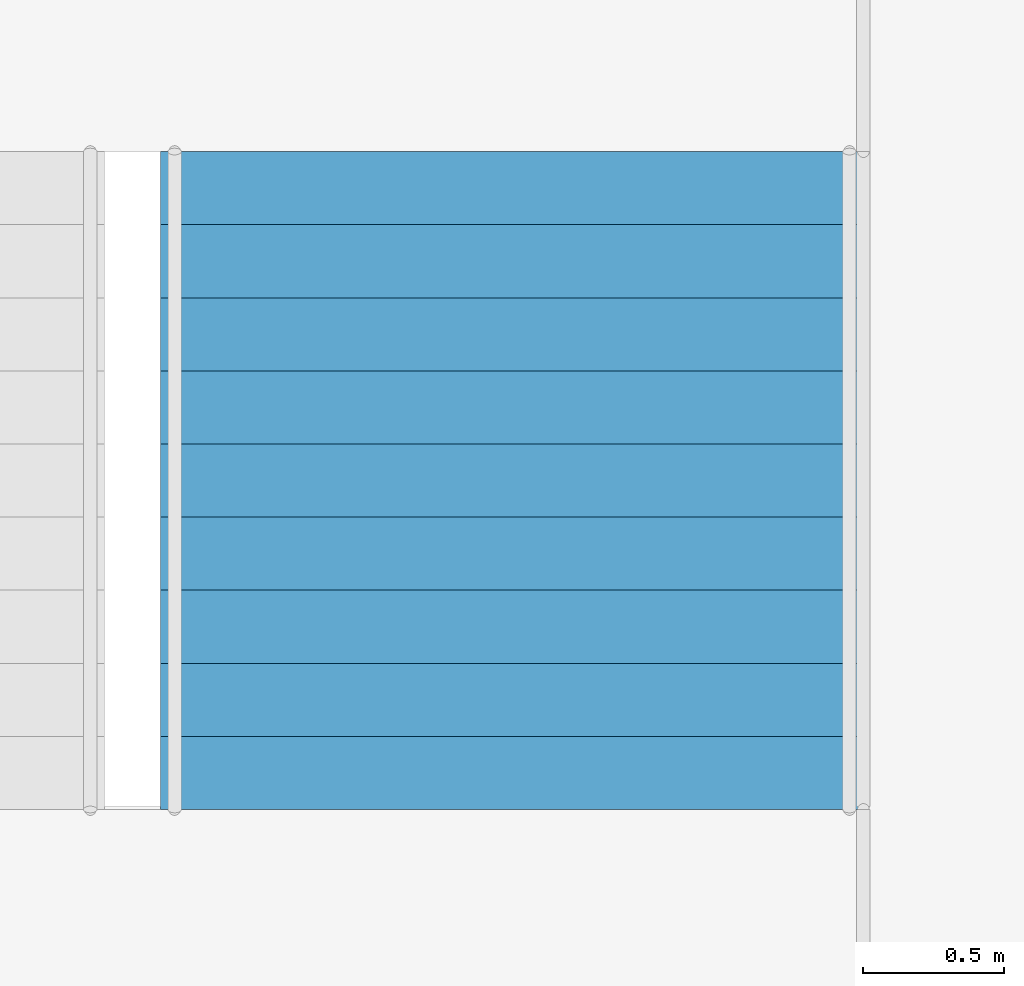
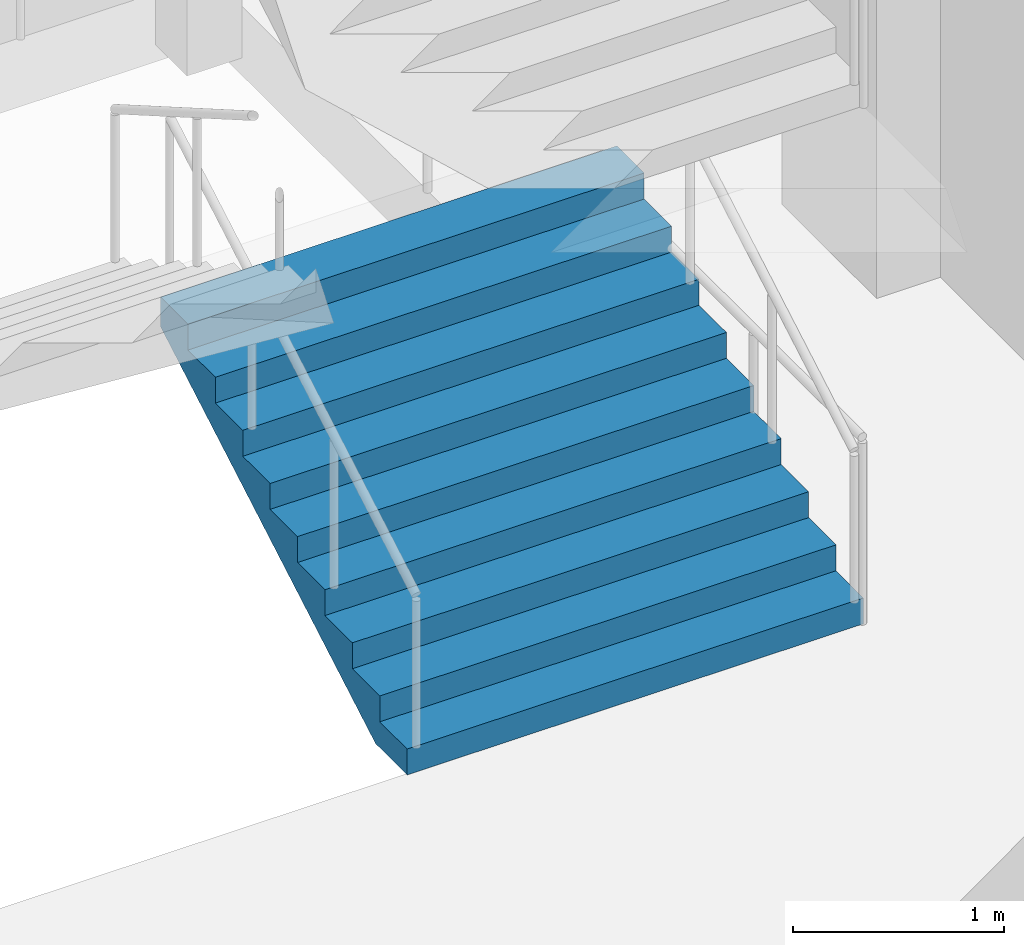
# One storey, part 44 of 100: 1 stair flight, 1 element without a shape of its own.
"""IFC4 building model written with IfcOpenShell, lengths in metres."""

from ifc_helpers import new_model, si_unit, direction, frame, origin, place, context, subcontext, project, spatial, triangles, material, type_object, element, aggregate, save


model = new_model("IFC4")

# Units and contexts
model_context = context("Model", 3, precision=1e-05, world=origin(), true_north=direction((0.0, 1.0)))
body_context = subcontext(model_context, "Body", "Model", "MODEL_VIEW")
ifc_project = project(units=[si_unit("LENGTHUNIT", "METRE"), si_unit("AREAUNIT", "SQUARE_METRE"), si_unit("VOLUMEUNIT", "CUBIC_METRE"), si_unit("PLANEANGLEUNIT", "RADIAN"), si_unit("MASSUNIT", "GRAM", prefix="KILO")], contexts=[model_context])

# Site, building, storey
site_placement = place(None, origin())
site = spatial("IfcSite", under=ifc_project, at=site_placement, CompositionType="ELEMENT")
building_placement = place(site_placement, origin())
building = spatial("IfcBuilding", under=site, at=building_placement, Name="Hakoniwa Tower and Hamabe Station Hall", CompositionType="ELEMENT")
storey_placement = place(building_placement, frame((0.0, 0.0, 9.0)))
storey = spatial("IfcBuildingStorey", under=building, at=storey_placement, Name="L02", CompositionType="ELEMENT", Elevation=9.0)

# Stair, stair flight
ifc_material_1 = material(Name="Concrete C40", Category="concrete")
stair_type = type_object("IfcStairType", Name="STAIR 2500 10X150", PredefinedType="HALF_TURN_STAIR", material=ifc_material_1)
stair_placement = place(storey_placement, origin())
stair = element("IfcStair", 1, at=stair_placement, inside=storey, type_object=stair_type, Name="Escape stair PS4", PredefinedType="HALF_TURN_STAIR")
ifc_material_2 = material(Name="Concrete C40", Category="concrete")
stair_flight_type = type_object("IfcStairFlightType", Name="STAIR FLIGHT 2500", PredefinedType="STRAIGHT", material=ifc_material_2)
stair_flight_placement = place(storey_placement, frame((-45.10009765625, -22.35009765625, 0.0), z_axis=(0.0, 0.0, 1.0), x_axis=(0.0, 1.0, 0.0)))
stair_flight = element("IfcStairFlight", 2, at=stair_flight_placement, type_object=stair_flight_type, Name="PS4 flight 1", NumberOfRisers=10, NumberOfTreads=9, PredefinedType="STRAIGHT", RiserHeight=0.15, TreadLength=0.26, context=body_context, shape_type="Tessellation", body=[
    triangles([(0.0, 1.25, 0.0), (0.260009765625, 1.25, 0.0), (0.300048828125, 1.25, 0.0), (0.52001953125, 1.25, 0.126953125), (0.780029296875, 1.25, 0.27685546875), (1.0400390625, 1.25, 0.427001953125), (1.300048828125, 1.25, 0.576904296875), (1.56005859375, 1.25, 0.72705078125), (1.820068359375, 1.25, 0.876953125), (2.080078125, 1.25, 1.02685546875), (2.340087890625, 1.25, 1.177001953125), (2.340087890625, 1.25, 1.35009765625), (2.080078125, 1.25, 1.35009765625), (2.080078125, 1.25, 1.199951171875), (1.820068359375, 1.25, 1.199951171875), (1.820068359375, 1.25, 1.050048828125), (1.56005859375, 1.25, 1.050048828125), (1.56005859375, 1.25, 0.89990234375), (1.300048828125, 1.25, 0.89990234375), (1.300048828125, 1.25, 0.75), (1.0400390625, 1.25, 0.75), (1.0400390625, 1.25, 0.60009765625), (0.780029296875, 1.25, 0.60009765625), (0.780029296875, 1.25, 0.449951171875), (0.52001953125, 1.25, 0.449951171875), (0.52001953125, 1.25, 0.300048828125), (0.300048828125, 1.25, 0.300048828125), (0.260009765625, 1.25, 0.300048828125), (0.260009765625, 1.25, 0.14990234375), (0.0, 1.25, 0.14990234375), (0.0, 0.06005859375, 0.0), (0.260009765625, 0.06005859375, 0.0), (0.300048828125, 0.06005859375, 0.0), (0.52001953125, 0.06005859375, 0.126953125), (0.780029296875, 0.06005859375, 0.27685546875), (1.0400390625, 0.06005859375, 0.427001953125), (1.300048828125, 0.06005859375, 0.576904296875), (1.56005859375, 0.06005859375, 0.72705078125), (1.820068359375, 0.06005859375, 0.876953125), (2.080078125, 0.06005859375, 1.02685546875), (2.340087890625, 0.06005859375, 1.177001953125), (2.340087890625, 0.06005859375, 1.35009765625), (2.080078125, 0.06005859375, 1.35009765625), (2.080078125, 0.06005859375, 1.199951171875), (1.820068359375, 0.06005859375, 1.199951171875), (1.820068359375, 0.06005859375, 1.050048828125), (1.56005859375, 0.06005859375, 1.050048828125), (1.56005859375, 0.06005859375, 0.89990234375), (1.300048828125, 0.06005859375, 0.89990234375), (1.300048828125, 0.06005859375, 0.75), (1.0400390625, 0.06005859375, 0.75), (1.0400390625, 0.06005859375, 0.60009765625), (0.780029296875, 0.06005859375, 0.60009765625), (0.780029296875, 0.06005859375, 0.449951171875), (0.52001953125, 0.06005859375, 0.449951171875), (0.52001953125, 0.06005859375, 0.300048828125), (0.300048828125, 0.06005859375, 0.300048828125), (0.260009765625, 0.06005859375, 0.300048828125), (0.260009765625, 0.06005859375, 0.14990234375), (0.0, 0.06005859375, 0.14990234375), (0.0, 0.049072265625, 0.0), (0.260009765625, 0.049072265625, 0.0), (0.300048828125, 0.049072265625, 0.0), (0.52001953125, 0.049072265625, 0.126953125), (0.780029296875, 0.049072265625, 0.27685546875), (1.0400390625, 0.049072265625, 0.427001953125), (1.300048828125, 0.049072265625, 0.576904296875), (1.56005859375, 0.049072265625, 0.72705078125), (1.820068359375, 0.049072265625, 0.876953125), (2.080078125, 0.049072265625, 1.02685546875), (2.340087890625, 0.049072265625, 1.177001953125), (2.340087890625, 0.049072265625, 1.35009765625), (2.080078125, 0.049072265625, 1.35009765625), (2.080078125, 0.049072265625, 1.199951171875), (1.820068359375, 0.049072265625, 1.199951171875), (1.820068359375, 0.049072265625, 1.050048828125), (1.56005859375, 0.049072265625, 1.050048828125), (1.56005859375, 0.049072265625, 0.89990234375), (1.300048828125, 0.049072265625, 0.89990234375), (1.300048828125, 0.049072265625, 0.75), (1.0400390625, 0.049072265625, 0.75), (1.0400390625, 0.049072265625, 0.60009765625), (0.780029296875, 0.049072265625, 0.60009765625), (0.780029296875, 0.049072265625, 0.449951171875), (0.52001953125, 0.049072265625, 0.449951171875), (0.52001953125, 0.049072265625, 0.300048828125), (0.300048828125, 0.049072265625, 0.300048828125), (0.260009765625, 0.049072265625, 0.300048828125), (0.260009765625, 0.049072265625, 0.14990234375), (0.0, 0.049072265625, 0.14990234375), (0.0, 0.0380859375, 0.0), (0.260009765625, 0.0380859375, 0.0), (0.300048828125, 0.0380859375, 0.0), (0.52001953125, 0.0380859375, 0.126953125), (0.780029296875, 0.0380859375, 0.27685546875), (1.0400390625, 0.0380859375, 0.427001953125), (1.300048828125, 0.0380859375, 0.576904296875), (1.56005859375, 0.0380859375, 0.72705078125), (1.820068359375, 0.0380859375, 0.876953125), (2.080078125, 0.0380859375, 1.02685546875), (2.340087890625, 0.0380859375, 1.177001953125), (2.340087890625, 0.0380859375, 1.35009765625), (2.080078125, 0.0380859375, 1.35009765625), (2.080078125, 0.0380859375, 1.199951171875), (1.820068359375, 0.0380859375, 1.199951171875), (1.820068359375, 0.0380859375, 1.050048828125), (1.56005859375, 0.0380859375, 1.050048828125), (1.56005859375, 0.0380859375, 0.89990234375), (1.300048828125, 0.0380859375, 0.89990234375), (1.300048828125, 0.0380859375, 0.75), (1.0400390625, 0.0380859375, 0.75), (1.0400390625, 0.0380859375, 0.60009765625), (0.780029296875, 0.0380859375, 0.60009765625), (0.780029296875, 0.0380859375, 0.449951171875), (0.52001953125, 0.0380859375, 0.449951171875), (0.52001953125, 0.0380859375, 0.300048828125), (0.300048828125, 0.0380859375, 0.300048828125), (0.260009765625, 0.0380859375, 0.300048828125), (0.260009765625, 0.0380859375, 0.14990234375), (0.0, 0.0380859375, 0.14990234375), (0.0, 0.02734375, 0.0), (0.260009765625, 0.02734375, 0.0), (0.300048828125, 0.02734375, 0.0), (0.52001953125, 0.02734375, 0.126953125), (0.780029296875, 0.02734375, 0.27685546875), (1.0400390625, 0.02734375, 0.427001953125), (1.300048828125, 0.02734375, 0.576904296875), (1.56005859375, 0.02734375, 0.72705078125), (1.820068359375, 0.02734375, 0.876953125), (2.080078125, 0.02734375, 1.02685546875), (2.340087890625, 0.02734375, 1.177001953125), (2.340087890625, 0.02734375, 1.35009765625), (2.080078125, 0.02734375, 1.35009765625), (2.080078125, 0.02734375, 1.199951171875), (1.820068359375, 0.02734375, 1.199951171875), (1.820068359375, 0.02734375, 1.050048828125), (1.56005859375, 0.02734375, 1.050048828125), (1.56005859375, 0.02734375, 0.89990234375), (1.300048828125, 0.02734375, 0.89990234375), (1.300048828125, 0.02734375, 0.75), (1.0400390625, 0.02734375, 0.75), (1.0400390625, 0.02734375, 0.60009765625), (0.780029296875, 0.02734375, 0.60009765625), (0.780029296875, 0.02734375, 0.449951171875), (0.52001953125, 0.02734375, 0.449951171875), (0.52001953125, 0.02734375, 0.300048828125), (0.300048828125, 0.02734375, 0.300048828125), (0.260009765625, 0.02734375, 0.300048828125), (0.260009765625, 0.02734375, 0.14990234375), (0.0, 0.02734375, 0.14990234375), (0.0, 0.016357421875, 0.0), (0.260009765625, 0.016357421875, 0.0), (0.300048828125, 0.016357421875, 0.0), (0.52001953125, 0.016357421875, 0.126953125), (0.780029296875, 0.016357421875, 0.27685546875), (1.0400390625, 0.016357421875, 0.427001953125), (1.300048828125, 0.016357421875, 0.576904296875), (1.56005859375, 0.016357421875, 0.72705078125), (1.820068359375, 0.016357421875, 0.876953125), (2.080078125, 0.016357421875, 1.02685546875), (2.340087890625, 0.016357421875, 1.177001953125), (2.340087890625, 0.016357421875, 1.35009765625), (2.080078125, 0.016357421875, 1.35009765625), (2.080078125, 0.016357421875, 1.199951171875), (1.820068359375, 0.016357421875, 1.199951171875), (1.820068359375, 0.016357421875, 1.050048828125), (1.56005859375, 0.016357421875, 1.050048828125), (1.56005859375, 0.016357421875, 0.89990234375), (1.300048828125, 0.016357421875, 0.89990234375), (1.300048828125, 0.016357421875, 0.75), (1.0400390625, 0.016357421875, 0.75), (1.0400390625, 0.016357421875, 0.60009765625), (0.780029296875, 0.016357421875, 0.60009765625), (0.780029296875, 0.016357421875, 0.449951171875), (0.52001953125, 0.016357421875, 0.449951171875), (0.52001953125, 0.016357421875, 0.300048828125), (0.300048828125, 0.016357421875, 0.300048828125), (0.260009765625, 0.016357421875, 0.300048828125), (0.260009765625, 0.016357421875, 0.14990234375), (0.0, 0.016357421875, 0.14990234375), (0.0, 0.00537109375, 0.0), (0.260009765625, 0.00537109375, 0.0), (0.300048828125, 0.00537109375, 0.0), (0.52001953125, 0.00537109375, 0.126953125), (0.780029296875, 0.00537109375, 0.27685546875), (1.0400390625, 0.00537109375, 0.427001953125), (1.300048828125, 0.00537109375, 0.576904296875), (1.56005859375, 0.00537109375, 0.72705078125), (1.820068359375, 0.00537109375, 0.876953125), (2.080078125, 0.00537109375, 1.02685546875), (2.340087890625, 0.00537109375, 1.177001953125), (2.340087890625, 0.00537109375, 1.35009765625), (2.080078125, 0.00537109375, 1.35009765625), (2.080078125, 0.00537109375, 1.199951171875), (1.820068359375, 0.00537109375, 1.199951171875), (1.820068359375, 0.00537109375, 1.050048828125), (1.56005859375, 0.00537109375, 1.050048828125), (1.56005859375, 0.00537109375, 0.89990234375), (1.300048828125, 0.00537109375, 0.89990234375), (1.300048828125, 0.00537109375, 0.75), (1.0400390625, 0.00537109375, 0.75), (1.0400390625, 0.00537109375, 0.60009765625), (0.780029296875, 0.00537109375, 0.60009765625), (0.780029296875, 0.00537109375, 0.449951171875), (0.52001953125, 0.00537109375, 0.449951171875), (0.52001953125, 0.00537109375, 0.300048828125), (0.300048828125, 0.00537109375, 0.300048828125), (0.260009765625, 0.00537109375, 0.300048828125), (0.260009765625, 0.00537109375, 0.14990234375), (0.0, 0.00537109375, 0.14990234375), (0.0, -0.00537109375, 0.0), (0.260009765625, -0.00537109375, 0.0), (0.300048828125, -0.00537109375, 0.0), (0.52001953125, -0.00537109375, 0.126953125), (0.780029296875, -0.00537109375, 0.27685546875), (1.0400390625, -0.00537109375, 0.427001953125), (1.300048828125, -0.00537109375, 0.576904296875), (1.56005859375, -0.00537109375, 0.72705078125), (1.820068359375, -0.00537109375, 0.876953125), (2.080078125, -0.00537109375, 1.02685546875), (2.340087890625, -0.00537109375, 1.177001953125), (2.340087890625, -0.00537109375, 1.35009765625), (2.080078125, -0.00537109375, 1.35009765625), (2.080078125, -0.00537109375, 1.199951171875), (1.820068359375, -0.00537109375, 1.199951171875), (1.820068359375, -0.00537109375, 1.050048828125), (1.56005859375, -0.00537109375, 1.050048828125), (1.56005859375, -0.00537109375, 0.89990234375), (1.300048828125, -0.00537109375, 0.89990234375), (1.300048828125, -0.00537109375, 0.75), (1.0400390625, -0.00537109375, 0.75), (1.0400390625, -0.00537109375, 0.60009765625), (0.780029296875, -0.00537109375, 0.60009765625), (0.780029296875, -0.00537109375, 0.449951171875), (0.52001953125, -0.00537109375, 0.449951171875), (0.52001953125, -0.00537109375, 0.300048828125), (0.300048828125, -0.00537109375, 0.300048828125), (0.260009765625, -0.00537109375, 0.300048828125), (0.260009765625, -0.00537109375, 0.14990234375), (0.0, -0.00537109375, 0.14990234375), (0.0, -0.016357421875, 0.0), (0.260009765625, -0.016357421875, 0.0), (0.300048828125, -0.016357421875, 0.0), (0.52001953125, -0.016357421875, 0.126953125), (0.780029296875, -0.016357421875, 0.27685546875), (1.0400390625, -0.016357421875, 0.427001953125), (1.300048828125, -0.016357421875, 0.576904296875), (1.56005859375, -0.016357421875, 0.72705078125), (1.820068359375, -0.016357421875, 0.876953125), (2.080078125, -0.016357421875, 1.02685546875), (2.340087890625, -0.016357421875, 1.177001953125), (2.340087890625, -0.016357421875, 1.35009765625), (2.080078125, -0.016357421875, 1.35009765625), (2.080078125, -0.016357421875, 1.199951171875), (1.820068359375, -0.016357421875, 1.199951171875), (1.820068359375, -0.016357421875, 1.050048828125), (1.56005859375, -0.016357421875, 1.050048828125), (1.56005859375, -0.016357421875, 0.89990234375), (1.300048828125, -0.016357421875, 0.89990234375), (1.300048828125, -0.016357421875, 0.75), (1.0400390625, -0.016357421875, 0.75), (1.0400390625, -0.016357421875, 0.60009765625), (0.780029296875, -0.016357421875, 0.60009765625), (0.780029296875, -0.016357421875, 0.449951171875), (0.52001953125, -0.016357421875, 0.449951171875), (0.52001953125, -0.016357421875, 0.300048828125), (0.300048828125, -0.016357421875, 0.300048828125), (0.260009765625, -0.016357421875, 0.300048828125), (0.260009765625, -0.016357421875, 0.14990234375), (0.0, -0.016357421875, 0.14990234375), (0.0, -0.02734375, 0.0), (0.260009765625, -0.02734375, 0.0), (0.300048828125, -0.02734375, 0.0), (0.52001953125, -0.02734375, 0.126953125), (0.780029296875, -0.02734375, 0.27685546875), (1.0400390625, -0.02734375, 0.427001953125), (1.300048828125, -0.02734375, 0.576904296875), (1.56005859375, -0.02734375, 0.72705078125), (1.820068359375, -0.02734375, 0.876953125), (2.080078125, -0.02734375, 1.02685546875), (2.340087890625, -0.02734375, 1.177001953125), (2.340087890625, -0.02734375, 1.35009765625), (2.080078125, -0.02734375, 1.35009765625), (2.080078125, -0.02734375, 1.199951171875), (1.820068359375, -0.02734375, 1.199951171875), (1.820068359375, -0.02734375, 1.050048828125), (1.56005859375, -0.02734375, 1.050048828125), (1.56005859375, -0.02734375, 0.89990234375), (1.300048828125, -0.02734375, 0.89990234375), (1.300048828125, -0.02734375, 0.75), (1.0400390625, -0.02734375, 0.75), (1.0400390625, -0.02734375, 0.60009765625), (0.780029296875, -0.02734375, 0.60009765625), (0.780029296875, -0.02734375, 0.449951171875), (0.52001953125, -0.02734375, 0.449951171875), (0.52001953125, -0.02734375, 0.300048828125), (0.300048828125, -0.02734375, 0.300048828125), (0.260009765625, -0.02734375, 0.300048828125), (0.260009765625, -0.02734375, 0.14990234375), (0.0, -0.02734375, 0.14990234375), (0.0, -0.0380859375, 0.0), (0.260009765625, -0.0380859375, 0.0), (0.300048828125, -0.0380859375, 0.0), (0.52001953125, -0.0380859375, 0.126953125), (0.780029296875, -0.0380859375, 0.27685546875), (1.0400390625, -0.0380859375, 0.427001953125), (1.300048828125, -0.0380859375, 0.576904296875), (1.56005859375, -0.0380859375, 0.72705078125), (1.820068359375, -0.0380859375, 0.876953125), (2.080078125, -0.0380859375, 1.02685546875), (2.340087890625, -0.0380859375, 1.177001953125), (2.340087890625, -0.0380859375, 1.35009765625), (2.080078125, -0.0380859375, 1.35009765625), (2.080078125, -0.0380859375, 1.199951171875), (1.820068359375, -0.0380859375, 1.199951171875), (1.820068359375, -0.0380859375, 1.050048828125), (1.56005859375, -0.0380859375, 1.050048828125), (1.56005859375, -0.0380859375, 0.89990234375), (1.300048828125, -0.0380859375, 0.89990234375), (1.300048828125, -0.0380859375, 0.75), (1.0400390625, -0.0380859375, 0.75), (1.0400390625, -0.0380859375, 0.60009765625), (0.780029296875, -0.0380859375, 0.60009765625), (0.780029296875, -0.0380859375, 0.449951171875), (0.52001953125, -0.0380859375, 0.449951171875), (0.52001953125, -0.0380859375, 0.300048828125), (0.300048828125, -0.0380859375, 0.300048828125), (0.260009765625, -0.0380859375, 0.300048828125), (0.260009765625, -0.0380859375, 0.14990234375), (0.0, -0.0380859375, 0.14990234375), (0.0, -0.049072265625, 0.0), (0.260009765625, -0.049072265625, 0.0), (0.300048828125, -0.049072265625, 0.0), (0.52001953125, -0.049072265625, 0.126953125), (0.780029296875, -0.049072265625, 0.27685546875), (1.0400390625, -0.049072265625, 0.427001953125), (1.300048828125, -0.049072265625, 0.576904296875), (1.56005859375, -0.049072265625, 0.72705078125), (1.820068359375, -0.049072265625, 0.876953125), (2.080078125, -0.049072265625, 1.02685546875), (2.340087890625, -0.049072265625, 1.177001953125), (2.340087890625, -0.049072265625, 1.35009765625), (2.080078125, -0.049072265625, 1.35009765625), (2.080078125, -0.049072265625, 1.199951171875), (1.820068359375, -0.049072265625, 1.199951171875), (1.820068359375, -0.049072265625, 1.050048828125), (1.56005859375, -0.049072265625, 1.050048828125), (1.56005859375, -0.049072265625, 0.89990234375), (1.300048828125, -0.049072265625, 0.89990234375), (1.300048828125, -0.049072265625, 0.75), (1.0400390625, -0.049072265625, 0.75), (1.0400390625, -0.049072265625, 0.60009765625), (0.780029296875, -0.049072265625, 0.60009765625), (0.780029296875, -0.049072265625, 0.449951171875), (0.52001953125, -0.049072265625, 0.449951171875), (0.52001953125, -0.049072265625, 0.300048828125), (0.300048828125, -0.049072265625, 0.300048828125), (0.260009765625, -0.049072265625, 0.300048828125), (0.260009765625, -0.049072265625, 0.14990234375), (0.0, -0.049072265625, 0.14990234375), (0.0, -0.06005859375, 0.0), (0.260009765625, -0.06005859375, 0.0), (0.300048828125, -0.06005859375, 0.0), (0.52001953125, -0.06005859375, 0.126953125), (0.780029296875, -0.06005859375, 0.27685546875), (1.0400390625, -0.06005859375, 0.427001953125), (1.300048828125, -0.06005859375, 0.576904296875), (1.56005859375, -0.06005859375, 0.72705078125), (1.820068359375, -0.06005859375, 0.876953125), (2.080078125, -0.06005859375, 1.02685546875), (2.340087890625, -0.06005859375, 1.177001953125), (2.340087890625, -0.06005859375, 1.35009765625), (2.080078125, -0.06005859375, 1.35009765625), (2.080078125, -0.06005859375, 1.199951171875), (1.820068359375, -0.06005859375, 1.199951171875), (1.820068359375, -0.06005859375, 1.050048828125), (1.56005859375, -0.06005859375, 1.050048828125), (1.56005859375, -0.06005859375, 0.89990234375), (1.300048828125, -0.06005859375, 0.89990234375), (1.300048828125, -0.06005859375, 0.75), (1.0400390625, -0.06005859375, 0.75), (1.0400390625, -0.06005859375, 0.60009765625), (0.780029296875, -0.06005859375, 0.60009765625), (0.780029296875, -0.06005859375, 0.449951171875), (0.52001953125, -0.06005859375, 0.449951171875), (0.52001953125, -0.06005859375, 0.300048828125), (0.300048828125, -0.06005859375, 0.300048828125), (0.260009765625, -0.06005859375, 0.300048828125), (0.260009765625, -0.06005859375, 0.14990234375), (0.0, -0.06005859375, 0.14990234375), (0.0, -1.25, 0.0), (0.260009765625, -1.25, 0.0), (0.300048828125, -1.25, 0.0), (0.52001953125, -1.25, 0.126953125), (0.780029296875, -1.25, 0.27685546875), (1.0400390625, -1.25, 0.427001953125), (1.300048828125, -1.25, 0.576904296875), (1.56005859375, -1.25, 0.72705078125), (1.820068359375, -1.25, 0.876953125), (2.080078125, -1.25, 1.02685546875), (2.340087890625, -1.25, 1.177001953125), (2.340087890625, -1.25, 1.35009765625), (2.080078125, -1.25, 1.35009765625), (2.080078125, -1.25, 1.199951171875), (1.820068359375, -1.25, 1.199951171875), (1.820068359375, -1.25, 1.050048828125), (1.56005859375, -1.25, 1.050048828125), (1.56005859375, -1.25, 0.89990234375), (1.300048828125, -1.25, 0.89990234375), (1.300048828125, -1.25, 0.75), (1.0400390625, -1.25, 0.75), (1.0400390625, -1.25, 0.60009765625), (0.780029296875, -1.25, 0.60009765625), (0.780029296875, -1.25, 0.449951171875), (0.52001953125, -1.25, 0.449951171875), (0.52001953125, -1.25, 0.300048828125), (0.300048828125, -1.25, 0.300048828125), (0.260009765625, -1.25, 0.300048828125), (0.260009765625, -1.25, 0.14990234375), (0.0, -1.25, 0.14990234375)], [[2, 30, 29], [392, 419, 420], [2, 1, 30], [392, 420, 391], [3, 28, 27], [393, 417, 418], [3, 29, 28], [393, 418, 419], [3, 2, 29], [393, 419, 392], [4, 27, 26], [394, 416, 417], [4, 3, 27], [394, 417, 393], [5, 25, 24], [395, 414, 415], [5, 26, 25], [395, 415, 416], [5, 4, 26], [395, 416, 394], [6, 23, 22], [396, 412, 413], [6, 24, 23], [396, 413, 414], [6, 5, 24], [396, 414, 395], [7, 21, 20], [397, 410, 411], [7, 22, 21], [397, 411, 412], [7, 6, 22], [397, 412, 396], [8, 19, 18], [398, 408, 409], [8, 20, 19], [398, 409, 410], [8, 7, 20], [398, 410, 397], [9, 17, 16], [399, 406, 407], [9, 18, 17], [399, 407, 408], [9, 8, 18], [399, 408, 398], [10, 15, 14], [400, 404, 405], [10, 16, 15], [400, 405, 406], [10, 9, 16], [400, 406, 399], [11, 13, 12], [401, 402, 403], [11, 14, 13], [401, 403, 404], [11, 10, 14], [401, 404, 400], [1, 2, 32], [1, 32, 31], [31, 32, 62], [31, 62, 61], [61, 62, 92], [61, 92, 91], [91, 92, 122], [91, 122, 121], [121, 122, 152], [121, 152, 151], [151, 152, 182], [151, 182, 181], [181, 182, 212], [181, 212, 211], [211, 212, 242], [211, 242, 241], [241, 242, 272], [241, 272, 271], [271, 272, 302], [271, 302, 301], [301, 302, 332], [301, 332, 331], [331, 332, 362], [331, 362, 361], [361, 362, 392], [361, 392, 391], [2, 3, 33], [2, 33, 32], [32, 33, 63], [32, 63, 62], [62, 63, 93], [62, 93, 92], [92, 93, 123], [92, 123, 122], [122, 123, 153], [122, 153, 152], [152, 153, 183], [152, 183, 182], [182, 183, 213], [182, 213, 212], [212, 213, 243], [212, 243, 242], [242, 243, 273], [242, 273, 272], [272, 273, 303], [272, 303, 302], [302, 303, 333], [302, 333, 332], [332, 333, 363], [332, 363, 362], [362, 363, 393], [362, 393, 392], [3, 4, 34], [3, 34, 33], [33, 34, 64], [33, 64, 63], [63, 64, 94], [63, 94, 93], [93, 94, 124], [93, 124, 123], [123, 124, 154], [123, 154, 153], [153, 154, 184], [153, 184, 183], [183, 184, 214], [183, 214, 213], [213, 214, 244], [213, 244, 243], [243, 244, 274], [243, 274, 273], [273, 274, 304], [273, 304, 303], [303, 304, 334], [303, 334, 333], [333, 334, 364], [333, 364, 363], [363, 364, 394], [363, 394, 393], [4, 5, 35], [4, 35, 34], [34, 35, 65], [34, 65, 64], [64, 65, 95], [64, 95, 94], [94, 95, 125], [94, 125, 124], [124, 125, 155], [124, 155, 154], [154, 155, 185], [154, 185, 184], [184, 185, 215], [184, 215, 214], [214, 215, 245], [214, 245, 244], [244, 245, 275], [244, 275, 274], [274, 275, 305], [274, 305, 304], [304, 305, 335], [304, 335, 334], [334, 335, 365], [334, 365, 364], [364, 365, 395], [364, 395, 394], [5, 6, 36], [5, 36, 35], [35, 36, 66], [35, 66, 65], [65, 66, 96], [65, 96, 95], [95, 96, 126], [95, 126, 125], [125, 126, 156], [125, 156, 155], [155, 156, 186], [155, 186, 185], [185, 186, 216], [185, 216, 215], [215, 216, 246], [215, 246, 245], [245, 246, 276], [245, 276, 275], [275, 276, 306], [275, 306, 305], [305, 306, 336], [305, 336, 335], [335, 336, 366], [335, 366, 365], [365, 366, 396], [365, 396, 395], [6, 7, 37], [6, 37, 36], [36, 37, 67], [36, 67, 66], [66, 67, 97], [66, 97, 96], [96, 97, 127], [96, 127, 126], [126, 127, 157], [126, 157, 156], [156, 157, 187], [156, 187, 186], [186, 187, 217], [186, 217, 216], [216, 217, 247], [216, 247, 246], [246, 247, 277], [246, 277, 276], [276, 277, 307], [276, 307, 306], [306, 307, 337], [306, 337, 336], [336, 337, 367], [336, 367, 366], [366, 367, 397], [366, 397, 396], [7, 8, 38], [7, 38, 37], [37, 38, 68], [37, 68, 67], [67, 68, 98], [67, 98, 97], [97, 98, 128], [97, 128, 127], [127, 128, 158], [127, 158, 157], [157, 158, 188], [157, 188, 187], [187, 188, 218], [187, 218, 217], [217, 218, 248], [217, 248, 247], [247, 248, 278], [247, 278, 277], [277, 278, 308], [277, 308, 307], [307, 308, 338], [307, 338, 337], [337, 338, 368], [337, 368, 367], [367, 368, 398], [367, 398, 397], [8, 9, 39], [8, 39, 38], [38, 39, 69], [38, 69, 68], [68, 69, 99], [68, 99, 98], [98, 99, 129], [98, 129, 128], [128, 129, 159], [128, 159, 158], [158, 159, 189], [158, 189, 188], [188, 189, 219], [188, 219, 218], [218, 219, 249], [218, 249, 248], [248, 249, 279], [248, 279, 278], [278, 279, 309], [278, 309, 308], [308, 309, 339], [308, 339, 338], [338, 339, 369], [338, 369, 368], [368, 369, 399], [368, 399, 398], [9, 10, 40], [9, 40, 39], [39, 40, 70], [39, 70, 69], [69, 70, 100], [69, 100, 99], [99, 100, 130], [99, 130, 129], [129, 130, 160], [129, 160, 159], [159, 160, 190], [159, 190, 189], [189, 190, 220], [189, 220, 219], [219, 220, 250], [219, 250, 249], [249, 250, 280], [249, 280, 279], [279, 280, 310], [279, 310, 309], [309, 310, 340], [309, 340, 339], [339, 340, 370], [339, 370, 369], [369, 370, 400], [369, 400, 399], [10, 11, 41], [10, 41, 40], [40, 41, 71], [40, 71, 70], [70, 71, 101], [70, 101, 100], [100, 101, 131], [100, 131, 130], [130, 131, 161], [130, 161, 160], [160, 161, 191], [160, 191, 190], [190, 191, 221], [190, 221, 220], [220, 221, 251], [220, 251, 250], [250, 251, 281], [250, 281, 280], [280, 281, 311], [280, 311, 310], [310, 311, 341], [310, 341, 340], [340, 341, 371], [340, 371, 370], [370, 371, 401], [370, 401, 400], [11, 12, 42], [11, 42, 41], [41, 42, 72], [41, 72, 71], [71, 72, 102], [71, 102, 101], [101, 102, 132], [101, 132, 131], [131, 132, 162], [131, 162, 161], [161, 162, 192], [161, 192, 191], [191, 192, 222], [191, 222, 221], [221, 222, 252], [221, 252, 251], [251, 252, 282], [251, 282, 281], [281, 282, 312], [281, 312, 311], [311, 312, 342], [311, 342, 341], [341, 342, 372], [341, 372, 371], [371, 372, 402], [371, 402, 401], [12, 13, 43], [12, 43, 42], [42, 43, 73], [42, 73, 72], [72, 73, 103], [72, 103, 102], [102, 103, 133], [102, 133, 132], [132, 133, 163], [132, 163, 162], [162, 163, 193], [162, 193, 192], [192, 193, 223], [192, 223, 222], [222, 223, 253], [222, 253, 252], [252, 253, 283], [252, 283, 282], [282, 283, 313], [282, 313, 312], [312, 313, 343], [312, 343, 342], [342, 343, 373], [342, 373, 372], [372, 373, 403], [372, 403, 402], [13, 14, 44], [13, 44, 43], [43, 44, 74], [43, 74, 73], [73, 74, 104], [73, 104, 103], [103, 104, 134], [103, 134, 133], [133, 134, 164], [133, 164, 163], [163, 164, 194], [163, 194, 193], [193, 194, 224], [193, 224, 223], [223, 224, 254], [223, 254, 253], [253, 254, 284], [253, 284, 283], [283, 284, 314], [283, 314, 313], [313, 314, 344], [313, 344, 343], [343, 344, 374], [343, 374, 373], [373, 374, 404], [373, 404, 403], [14, 15, 45], [14, 45, 44], [44, 45, 75], [44, 75, 74], [74, 75, 105], [74, 105, 104], [104, 105, 135], [104, 135, 134], [134, 135, 165], [134, 165, 164], [164, 165, 195], [164, 195, 194], [194, 195, 225], [194, 225, 224], [224, 225, 255], [224, 255, 254], [254, 255, 285], [254, 285, 284], [284, 285, 315], [284, 315, 314], [314, 315, 345], [314, 345, 344], [344, 345, 375], [344, 375, 374], [374, 375, 405], [374, 405, 404], [15, 16, 46], [15, 46, 45], [45, 46, 76], [45, 76, 75], [75, 76, 106], [75, 106, 105], [105, 106, 136], [105, 136, 135], [135, 136, 166], [135, 166, 165], [165, 166, 196], [165, 196, 195], [195, 196, 226], [195, 226, 225], [225, 226, 256], [225, 256, 255], [255, 256, 286], [255, 286, 285], [285, 286, 316], [285, 316, 315], [315, 316, 346], [315, 346, 345], [345, 346, 376], [345, 376, 375], [375, 376, 406], [375, 406, 405], [16, 17, 47], [16, 47, 46], [46, 47, 77], [46, 77, 76], [76, 77, 107], [76, 107, 106], [106, 107, 137], [106, 137, 136], [136, 137, 167], [136, 167, 166], [166, 167, 197], [166, 197, 196], [196, 197, 227], [196, 227, 226], [226, 227, 257], [226, 257, 256], [256, 257, 287], [256, 287, 286], [286, 287, 317], [286, 317, 316], [316, 317, 347], [316, 347, 346], [346, 347, 377], [346, 377, 376], [376, 377, 407], [376, 407, 406], [17, 18, 48], [17, 48, 47], [47, 48, 78], [47, 78, 77], [77, 78, 108], [77, 108, 107], [107, 108, 138], [107, 138, 137], [137, 138, 168], [137, 168, 167], [167, 168, 198], [167, 198, 197], [197, 198, 228], [197, 228, 227], [227, 228, 258], [227, 258, 257], [257, 258, 288], [257, 288, 287], [287, 288, 318], [287, 318, 317], [317, 318, 348], [317, 348, 347], [347, 348, 378], [347, 378, 377], [377, 378, 408], [377, 408, 407], [18, 19, 49], [18, 49, 48], [48, 49, 79], [48, 79, 78], [78, 79, 109], [78, 109, 108], [108, 109, 139], [108, 139, 138], [138, 139, 169], [138, 169, 168], [168, 169, 199], [168, 199, 198], [198, 199, 229], [198, 229, 228], [228, 229, 259], [228, 259, 258], [258, 259, 289], [258, 289, 288], [288, 289, 319], [288, 319, 318], [318, 319, 349], [318, 349, 348], [348, 349, 379], [348, 379, 378], [378, 379, 409], [378, 409, 408], [19, 20, 50], [19, 50, 49], [49, 50, 80], [49, 80, 79], [79, 80, 110], [79, 110, 109], [109, 110, 140], [109, 140, 139], [139, 140, 170], [139, 170, 169], [169, 170, 200], [169, 200, 199], [199, 200, 230], [199, 230, 229], [229, 230, 260], [229, 260, 259], [259, 260, 290], [259, 290, 289], [289, 290, 320], [289, 320, 319], [319, 320, 350], [319, 350, 349], [349, 350, 380], [349, 380, 379], [379, 380, 410], [379, 410, 409], [20, 21, 51], [20, 51, 50], [50, 51, 81], [50, 81, 80], [80, 81, 111], [80, 111, 110], [110, 111, 141], [110, 141, 140], [140, 141, 171], [140, 171, 170], [170, 171, 201], [170, 201, 200], [200, 201, 231], [200, 231, 230], [230, 231, 261], [230, 261, 260], [260, 261, 291], [260, 291, 290], [290, 291, 321], [290, 321, 320], [320, 321, 351], [320, 351, 350], [350, 351, 381], [350, 381, 380], [380, 381, 411], [380, 411, 410], [21, 22, 52], [21, 52, 51], [51, 52, 82], [51, 82, 81], [81, 82, 112], [81, 112, 111], [111, 112, 142], [111, 142, 141], [141, 142, 172], [141, 172, 171], [171, 172, 202], [171, 202, 201], [201, 202, 232], [201, 232, 231], [231, 232, 262], [231, 262, 261], [261, 262, 292], [261, 292, 291], [291, 292, 322], [291, 322, 321], [321, 322, 352], [321, 352, 351], [351, 352, 382], [351, 382, 381], [381, 382, 412], [381, 412, 411], [22, 23, 53], [22, 53, 52], [52, 53, 83], [52, 83, 82], [82, 83, 113], [82, 113, 112], [112, 113, 143], [112, 143, 142], [142, 143, 173], [142, 173, 172], [172, 173, 203], [172, 203, 202], [202, 203, 233], [202, 233, 232], [232, 233, 263], [232, 263, 262], [262, 263, 293], [262, 293, 292], [292, 293, 323], [292, 323, 322], [322, 323, 353], [322, 353, 352], [352, 353, 383], [352, 383, 382], [382, 383, 413], [382, 413, 412], [23, 24, 54], [23, 54, 53], [53, 54, 84], [53, 84, 83], [83, 84, 114], [83, 114, 113], [113, 114, 144], [113, 144, 143], [143, 144, 174], [143, 174, 173], [173, 174, 204], [173, 204, 203], [203, 204, 234], [203, 234, 233], [233, 234, 264], [233, 264, 263], [263, 264, 294], [263, 294, 293], [293, 294, 324], [293, 324, 323], [323, 324, 354], [323, 354, 353], [353, 354, 384], [353, 384, 383], [383, 384, 414], [383, 414, 413], [24, 25, 55], [24, 55, 54], [54, 55, 85], [54, 85, 84], [84, 85, 115], [84, 115, 114], [114, 115, 145], [114, 145, 144], [144, 145, 175], [144, 175, 174], [174, 175, 205], [174, 205, 204], [204, 205, 235], [204, 235, 234], [234, 235, 265], [234, 265, 264], [264, 265, 295], [264, 295, 294], [294, 295, 325], [294, 325, 324], [324, 325, 355], [324, 355, 354], [354, 355, 385], [354, 385, 384], [384, 385, 415], [384, 415, 414], [25, 26, 56], [25, 56, 55], [55, 56, 86], [55, 86, 85], [85, 86, 116], [85, 116, 115], [115, 116, 146], [115, 146, 145], [145, 146, 176], [145, 176, 175], [175, 176, 206], [175, 206, 205], [205, 206, 236], [205, 236, 235], [235, 236, 266], [235, 266, 265], [265, 266, 296], [265, 296, 295], [295, 296, 326], [295, 326, 325], [325, 326, 356], [325, 356, 355], [355, 356, 386], [355, 386, 385], [385, 386, 416], [385, 416, 415], [26, 27, 57], [26, 57, 56], [56, 57, 87], [56, 87, 86], [86, 87, 117], [86, 117, 116], [116, 117, 147], [116, 147, 146], [146, 147, 177], [146, 177, 176], [176, 177, 207], [176, 207, 206], [206, 207, 237], [206, 237, 236], [236, 237, 267], [236, 267, 266], [266, 267, 297], [266, 297, 296], [296, 297, 327], [296, 327, 326], [326, 327, 357], [326, 357, 356], [356, 357, 387], [356, 387, 386], [386, 387, 417], [386, 417, 416], [27, 28, 58], [27, 58, 57], [57, 58, 88], [57, 88, 87], [87, 88, 118], [87, 118, 117], [117, 118, 148], [117, 148, 147], [147, 148, 178], [147, 178, 177], [177, 178, 208], [177, 208, 207], [207, 208, 238], [207, 238, 237], [237, 238, 268], [237, 268, 267], [267, 268, 298], [267, 298, 297], [297, 298, 328], [297, 328, 327], [327, 328, 358], [327, 358, 357], [357, 358, 388], [357, 388, 387], [387, 388, 418], [387, 418, 417], [28, 29, 59], [28, 59, 58], [58, 59, 89], [58, 89, 88], [88, 89, 119], [88, 119, 118], [118, 119, 149], [118, 149, 148], [148, 149, 179], [148, 179, 178], [178, 179, 209], [178, 209, 208], [208, 209, 239], [208, 239, 238], [238, 239, 269], [238, 269, 268], [268, 269, 299], [268, 299, 298], [298, 299, 329], [298, 329, 328], [328, 329, 359], [328, 359, 358], [358, 359, 389], [358, 389, 388], [388, 389, 419], [388, 419, 418], [29, 30, 60], [29, 60, 59], [59, 60, 90], [59, 90, 89], [89, 90, 120], [89, 120, 119], [119, 120, 150], [119, 150, 149], [149, 150, 180], [149, 180, 179], [179, 180, 210], [179, 210, 209], [209, 210, 240], [209, 240, 239], [239, 240, 270], [239, 270, 269], [269, 270, 300], [269, 300, 299], [299, 300, 330], [299, 330, 329], [329, 330, 360], [329, 360, 359], [359, 360, 390], [359, 390, 389], [389, 390, 420], [389, 420, 419], [30, 1, 31], [30, 31, 60], [60, 31, 61], [60, 61, 90], [90, 61, 91], [90, 91, 120], [120, 91, 121], [120, 121, 150], [150, 121, 151], [150, 151, 180], [180, 151, 181], [180, 181, 210], [210, 181, 211], [210, 211, 240], [240, 211, 241], [240, 241, 270], [270, 241, 271], [270, 271, 300], [300, 271, 301], [300, 301, 330], [330, 301, 331], [330, 331, 360], [360, 331, 361], [360, 361, 390], [390, 361, 391], [390, 391, 420]], closed=True),
])
aggregate(stair, [stair_flight])

save(model, "model.ifc")
